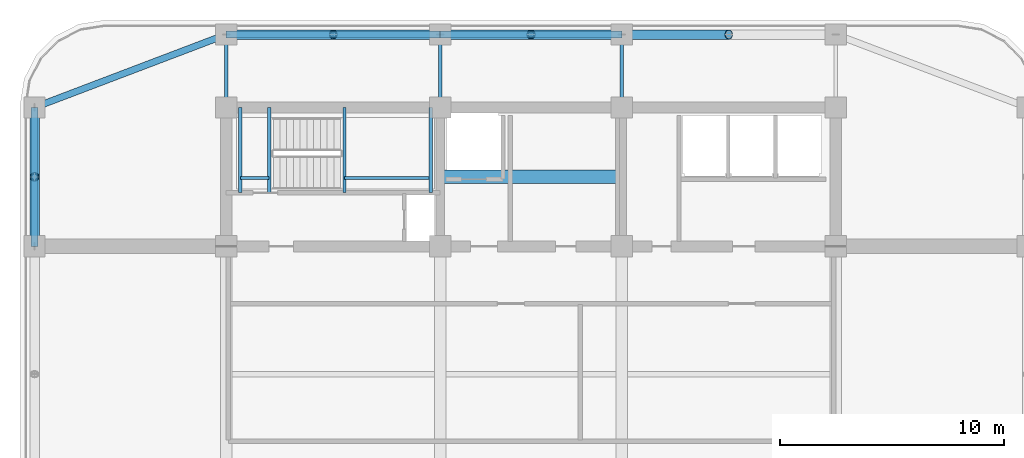
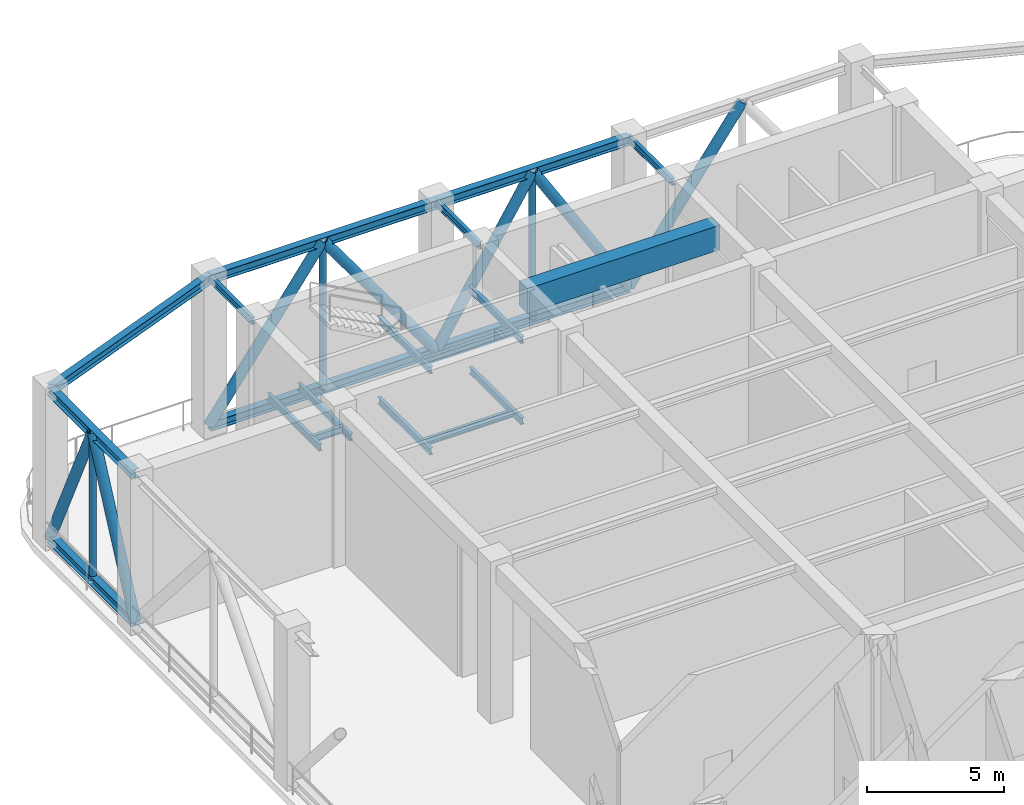
# One storey, part 7 of 20: 20 beams, 10 members.
"""IFC4 building model written with IfcOpenShell, lengths in metres."""

from ifc_helpers import new_model, si_unit, direction, frame, origin, origin_2d, place, context, subcontext, project, spatial, rectangle, hollow_circle, i_section, extrude, material, material_profile, profile_set, type_object, element, save


model = new_model("IFC4")

# Units and contexts
model_context = context("Model", 3, precision=1e-05, world=origin(), true_north=direction((0.0, 1.0)))
body_context = subcontext(model_context, "Body", "Model", "MODEL_VIEW")
ifc_project = project(units=[si_unit("LENGTHUNIT", "METRE"), si_unit("AREAUNIT", "SQUARE_METRE"), si_unit("VOLUMEUNIT", "CUBIC_METRE"), si_unit("PLANEANGLEUNIT", "RADIAN"), si_unit("MASSUNIT", "GRAM", prefix="KILO")], contexts=[model_context])

# Site, building, storey
site_placement = place(None, origin())
site = spatial("IfcSite", under=ifc_project, at=site_placement, CompositionType="ELEMENT")
building_placement = place(site_placement, origin())
building = spatial("IfcBuilding", under=site, at=building_placement, Name="Svetorya Sky Lyceum", CompositionType="ELEMENT")
storey_placement = place(building_placement, frame((0.0, 0.0, 195.89990234375)))
storey = spatial("IfcBuildingStorey", under=building, at=storey_placement, Name="L49", CompositionType="ELEMENT", Elevation=195.89990234375)

# Beams
ifc_material_1 = material(Name="Concrete C60/75", Category="concrete")
ifc_material_profile_1 = material_profile(ifc_material_1, rectangle(XDim=0.60009765625, YDim=1.10009765625, at=origin_2d()), Name="RC COUPLING 600x1100")
ifc_profile_set_1 = profile_set([ifc_material_profile_1], Name="Concrete C60/75")
beam_type_1 = type_object("IfcBeamType", Name="BM-CPL-1100", PredefinedType="LINTEL", material=ifc_profile_set_1)
beam_1_placement = place(storey_placement, frame((35.14990234375, 42.699951171875, 6.39013671875), z_axis=(1.0, 0.0, 0.0), x_axis=(0.0, 1.0, 0.0)))
element("IfcBeam", 1, at=beam_1_placement, inside=storey, type_object=beam_type_1, Name="L49 NC Core Coupling Beam", PredefinedType="LINTEL", context=body_context, shape_type="SweptSolid", body=[
    extrude(rectangle(XDim=0.60009765625, YDim=1.10009765625, at=origin_2d()), origin(), (0.0, 0.0, 1.0), 8.10009765625),
])
ifc_material_2 = material(Name="Steel S355", Category="steel")
ifc_material_profile_2 = material_profile(ifc_material_2, i_section(OverallWidth=0.14990234375, OverallDepth=0.299072265625, WebThickness=0.006591796875, FlangeThickness=0.010498046875, at=origin_2d()), Name="GOST 30B2")
ifc_profile_set_2 = profile_set([ifc_material_profile_2], Name="Steel S355")
beam_type_2 = type_object("IfcBeamType", Name="BM-STL-30B2", PredefinedType="JOIST", material=ifc_profile_set_2)
for number, where, z_axis, x_axis, name in (
    (2, (25.60009765625, 45.800048828125, 6.79052734375), (0.0, 1.0, 0.0), (-1.0, 0.0, 0.0), "L49 North Bay Floor Girder N1"),
    (3, (35.14990234375, 45.800048828125, 6.79052734375), (0.0, 1.0, 0.0), (-1.0, 0.0, 0.0), "L49 North Bay Floor Girder N2"),
    (4, (43.25, 45.800048828125, 6.79052734375), (0.0, 1.0, 0.0), (-1.0, 0.0, 0.0), "L49 North Bay Floor Girder N3"),
):
    element("IfcBeam", number, at=place(storey_placement, frame(where, z_axis=z_axis, x_axis=x_axis)), inside=storey, type_object=beam_type_2, Name=name, PredefinedType="JOIST", context=body_context, shape_type="SweptSolid", body=[
        extrude(i_section(OverallWidth=0.14990234375, OverallDepth=0.299072265625, WebThickness=0.006591796875, FlangeThickness=0.010498046875, at=origin_2d()), origin(), (0.0, 0.0, 1.0), 3.25),
    ])
for number, where, z_axis, x_axis, name in (
    (5, (30.8798828125, 42.0, 1.45068359375), (0.0, 1.0, 0.0), (-1.0, 0.0, 0.0), "L49 Stair ST-N Half-Landing Support Beam 55.1"),
    (6, (34.719970703125, 42.0, 1.45068359375), (0.0, 1.0, 0.0), (-1.0, 0.0, 0.0), "L49 Stair ST-N Half-Landing Support Beam 55.2"),
):
    element("IfcBeam", number, at=place(storey_placement, frame(where, z_axis=z_axis, x_axis=x_axis)), inside=storey, type_object=beam_type_2, Name=name, PredefinedType="JOIST", context=body_context, shape_type="SweptSolid", body=[
        extrude(i_section(OverallWidth=0.14990234375, OverallDepth=0.299072265625, WebThickness=0.006591796875, FlangeThickness=0.010498046875, at=origin_2d()), origin(), (0.0, 0.0, 1.0), 3.800048828125),
    ])
beam_2_placement = place(storey_placement, frame((30.8798828125, 42.64990234375, 1.45068359375), z_axis=(1.0, 0.0, 0.0), x_axis=(0.0, 1.0, 0.0)))
element("IfcBeam", 7, at=beam_2_placement, inside=storey, type_object=beam_type_2, Name="L49 Stair ST-N Half-Landing Cross Tie 55", PredefinedType="JOIST", context=body_context, shape_type="SweptSolid", body=[
    extrude(i_section(OverallWidth=0.14990234375, OverallDepth=0.299072265625, WebThickness=0.006591796875, FlangeThickness=0.010498046875, at=origin_2d()), origin(), (0.0, 0.0, 1.0), 3.840087890625),
])
for number, where, z_axis, x_axis, name in (
    (8, (26.22998046875, 42.0, 3.25048828125), (0.0, 1.0, 0.0), (-1.0, 0.0, 0.0), "L49 Stair ST-N Half-Landing Support Beam 56.1"),
    (9, (27.52001953125, 42.0, 3.25048828125), (0.0, 1.0, 0.0), (-1.0, 0.0, 0.0), "L49 Stair ST-N Half-Landing Support Beam 56.2"),
):
    element("IfcBeam", number, at=place(storey_placement, frame(where, z_axis=z_axis, x_axis=x_axis)), inside=storey, type_object=beam_type_2, Name=name, PredefinedType="JOIST", context=body_context, shape_type="SweptSolid", body=[
        extrude(i_section(OverallWidth=0.14990234375, OverallDepth=0.299072265625, WebThickness=0.006591796875, FlangeThickness=0.010498046875, at=origin_2d()), origin(), (0.0, 0.0, 1.0), 3.800048828125),
    ])
beam_3_placement = place(storey_placement, frame((26.22998046875, 42.64990234375, 3.25048828125), z_axis=(1.0, 0.0, 0.0), x_axis=(0.0, 1.0, 0.0)))
element("IfcBeam", 10, at=beam_3_placement, inside=storey, type_object=beam_type_2, Name="L49 Stair ST-N Half-Landing Cross Tie 56", PredefinedType="JOIST", context=body_context, shape_type="SweptSolid", body=[
    extrude(i_section(OverallWidth=0.14990234375, OverallDepth=0.299072265625, WebThickness=0.006591796875, FlangeThickness=0.010498046875, at=origin_2d()), origin(), (0.0, 0.0, 1.0), 1.2900390625),
])
for number, where, z_axis, x_axis, name in (
    (11, (30.8798828125, 42.0, 5.050537109375), (0.0, 1.0, 0.0), (-1.0, 0.0, 0.0), "L49 Stair ST-N Half-Landing Support Beam 57.1"),
    (12, (34.719970703125, 42.0, 5.050537109375), (0.0, 1.0, 0.0), (-1.0, 0.0, 0.0), "L49 Stair ST-N Half-Landing Support Beam 57.2"),
):
    element("IfcBeam", number, at=place(storey_placement, frame(where, z_axis=z_axis, x_axis=x_axis)), inside=storey, type_object=beam_type_2, Name=name, PredefinedType="JOIST", context=body_context, shape_type="SweptSolid", body=[
        extrude(i_section(OverallWidth=0.14990234375, OverallDepth=0.299072265625, WebThickness=0.006591796875, FlangeThickness=0.010498046875, at=origin_2d()), origin(), (0.0, 0.0, 1.0), 3.800048828125),
    ])
beam_4_placement = place(storey_placement, frame((30.8798828125, 42.64990234375, 5.050537109375), z_axis=(1.0, 0.0, 0.0), x_axis=(0.0, 1.0, 0.0)))
element("IfcBeam", 13, at=beam_4_placement, inside=storey, type_object=beam_type_2, Name="L49 Stair ST-N Half-Landing Cross Tie 57", PredefinedType="JOIST", context=body_context, shape_type="SweptSolid", body=[
    extrude(i_section(OverallWidth=0.14990234375, OverallDepth=0.299072265625, WebThickness=0.006591796875, FlangeThickness=0.010498046875, at=origin_2d()), origin(), (0.0, 0.0, 1.0), 3.840087890625),
])
ifc_material_profile_3 = material_profile(ifc_material_2, i_section(OverallWidth=0.300048828125, OverallDepth=0.39404296875, WebThickness=0.010986328125, FlangeThickness=0.0166015625, at=origin_2d()), Name="GOST 40Sh2")
ifc_profile_set_3 = profile_set([ifc_material_profile_3], Name="Steel S355")
beam_type_3 = type_object("IfcBeamType", Name="BM-STL-40SH2", PredefinedType="BEAM", material=ifc_profile_set_3)
for number, where, z_axis, x_axis, name in (
    (14, (25.60009765625, 49.050048828125, 0.197021484375), (1.0, 0.0, 0.0), (0.0, 1.0, 0.0), "L49 Belt Truss Bottom Chord N-1"),
    (15, (25.60009765625, 49.050048828125, 6.7431640625), (1.0, 0.0, 0.0), (0.0, 1.0, 0.0), "L49 Belt Truss Top Chord N-1"),
):
    element("IfcBeam", number, at=place(storey_placement, frame(where, z_axis=z_axis, x_axis=x_axis)), inside=storey, type_object=beam_type_3, Name=name, PredefinedType="BEAM", context=body_context, shape_type="SweptSolid", body=[
        extrude(i_section(OverallWidth=0.300048828125, OverallDepth=0.39404296875, WebThickness=0.010986328125, FlangeThickness=0.0166015625, at=origin_2d()), origin(), (0.0, 0.0, 1.0), 9.5498046875),
    ])
for number, where, z_axis, x_axis, name in (
    (16, (35.14990234375, 49.050048828125, 0.197021484375), (1.0, 0.0, 0.0), (0.0, 1.0, 0.0), "L49 Belt Truss Bottom Chord N-2"),
    (17, (35.14990234375, 49.050048828125, 6.7431640625), (1.0, 0.0, 0.0), (0.0, 1.0, 0.0), "L49 Belt Truss Top Chord N-2"),
):
    element("IfcBeam", number, at=place(storey_placement, frame(where, z_axis=z_axis, x_axis=x_axis)), inside=storey, type_object=beam_type_3, Name=name, PredefinedType="BEAM", context=body_context, shape_type="SweptSolid", body=[
        extrude(i_section(OverallWidth=0.300048828125, OverallDepth=0.39404296875, WebThickness=0.010986328125, FlangeThickness=0.0166015625, at=origin_2d()), origin(), (0.0, 0.0, 1.0), 8.10009765625),
    ])
for number, where, z_axis, x_axis, name in (
    (18, (17.050048828125, 39.60009765625, 0.197021484375), (0.0, 1.0, 0.0), (-1.0, 0.0, 0.0), "L49 Belt Truss Bottom Chord W-4"),
    (19, (17.050048828125, 39.60009765625, 6.7431640625), (0.0, 1.0, 0.0), (-1.0, 0.0, 0.0), "L49 Belt Truss Top Chord W-4"),
):
    element("IfcBeam", number, at=place(storey_placement, frame(where, z_axis=z_axis, x_axis=x_axis)), inside=storey, type_object=beam_type_3, Name=name, PredefinedType="BEAM", context=body_context, shape_type="SweptSolid", body=[
        extrude(i_section(OverallWidth=0.300048828125, OverallDepth=0.39404296875, WebThickness=0.010986328125, FlangeThickness=0.0166015625, at=origin_2d()), origin(), (0.0, 0.0, 1.0), 6.199951171875),
    ])
beam_5_placement = place(storey_placement, frame((17.050048828125, 45.800048828125, 6.7431640625), z_axis=(0.934747947367, 0.355311518099, 0.0), x_axis=(-0.355311518099, 0.934747947367, 0.0)))
element("IfcBeam", 20, at=beam_5_placement, inside=storey, type_object=beam_type_3, Name="L49 Belt Truss Corner Tie 4", PredefinedType="BEAM", context=body_context, shape_type="SweptSolid", body=[
    extrude(i_section(OverallWidth=0.300048828125, OverallDepth=0.39404296875, WebThickness=0.010986328125, FlangeThickness=0.0166015625, at=origin_2d()), origin(), (0.0, 0.0, 1.0), 9.14697265625),
])

# Members
ifc_material_profile_4 = material_profile(ifc_material_2, hollow_circle(Radius=0.212890625, WallThickness=0.01806640625, at=origin_2d()), Name="CHS 426x18")
ifc_profile_set_4 = profile_set([ifc_material_profile_4], Name="Steel S355")
member_type_1 = type_object("IfcMemberType", Name="MB-BRC-CHS426", PredefinedType="BRACE", material=ifc_profile_set_4)
for number, where, z_axis, x_axis, name in (
    (21, (25.60009765625, 49.050048828125, 0.197021484375), (0.589306984241, 0.0, 0.807909201782), (0.0, 1.0, 0.0), "L49 Belt Truss Diagonal N-1A"),
    (22, (35.14990234375, 49.050048828125, 0.197021484375), (-0.589306984241, 0.0, 0.807909201782), (0.0, -1.0, 0.0), "L49 Belt Truss Diagonal N-1B"),
):
    element("IfcMember", number, at=place(storey_placement, frame(where, z_axis=z_axis, x_axis=x_axis)), inside=storey, type_object=member_type_1, Name=name, PredefinedType="BRACE", context=body_context, shape_type="SweptSolid", body=[
        extrude(hollow_circle(Radius=0.212890625, WallThickness=0.01806640625, at=origin_2d()), origin(), (0.0, 0.0, 1.0), 8.1025390625),
    ])
for number, where, z_axis, x_axis, name in (
    (23, (35.14990234375, 49.050048828125, 0.197021484375), (0.526136225005, 0.0, 0.850400301468), (0.0, 1.0, 0.0), "L49 Belt Truss Diagonal N-2A"),
    (24, (43.25, 49.050048828125, 0.197021484375), (-0.526136225005, 0.0, 0.850400301468), (0.0, -1.0, 0.0), "L49 Belt Truss Diagonal N-2B"),
):
    element("IfcMember", number, at=place(storey_placement, frame(where, z_axis=z_axis, x_axis=x_axis)), inside=storey, type_object=member_type_1, Name=name, PredefinedType="BRACE", context=body_context, shape_type="SweptSolid", body=[
        extrude(hollow_circle(Radius=0.212890625, WallThickness=0.01806640625, at=origin_2d()), origin(), (0.0, 0.0, 1.0), 7.69775390625),
    ])
member_1_placement = place(storey_placement, frame((43.25, 49.050048828125, 0.197021484375), z_axis=(0.589306984241, 0.0, 0.807909201782), x_axis=(0.0, 1.0, 0.0)))
element("IfcMember", 25, at=member_1_placement, inside=storey, type_object=member_type_1, Name="L49 Belt Truss Diagonal N-3A", PredefinedType="BRACE", context=body_context, shape_type="SweptSolid", body=[
    extrude(hollow_circle(Radius=0.212890625, WallThickness=0.01806640625, at=origin_2d()), origin(), (0.0, 0.0, 1.0), 8.1025390625),
])
member_2_placement = place(storey_placement, frame((17.050048828125, 39.60009765625, 0.197021484375), z_axis=(0.0, 0.427979119576, 0.903788621973), x_axis=(-1.0, 0.0, 0.0)))
element("IfcMember", 26, at=member_2_placement, inside=storey, type_object=member_type_1, Name="L49 Belt Truss Diagonal W-4A", PredefinedType="BRACE", context=body_context, shape_type="SweptSolid", body=[
    extrude(hollow_circle(Radius=0.212890625, WallThickness=0.01806640625, at=origin_2d()), origin(), (0.0, 0.0, 1.0), 7.242919921875),
])
member_3_placement = place(storey_placement, frame((17.050048828125, 45.800048828125, 0.197021484375), z_axis=(0.0, -0.428006652086, 0.903775583743), x_axis=(1.0, 0.0, 0.0)))
element("IfcMember", 27, at=member_3_placement, inside=storey, type_object=member_type_1, Name="L49 Belt Truss Diagonal W-4B", PredefinedType="BRACE", context=body_context, shape_type="SweptSolid", body=[
    extrude(hollow_circle(Radius=0.212890625, WallThickness=0.01806640625, at=origin_2d()), origin(), (0.0, 0.0, 1.0), 7.2431640625),
])
ifc_material_profile_5 = material_profile(ifc_material_2, hollow_circle(Radius=0.136474609375, WallThickness=0.011962890625, at=origin_2d()), Name="CHS 273x12")
ifc_profile_set_5 = profile_set([ifc_material_profile_5], Name="Steel S355")
member_type_2 = type_object("IfcMemberType", Name="MB-STR-CHS273", PredefinedType="STRUT", material=ifc_profile_set_5)
for number, where, z_axis, x_axis, name in (
    (28, (30.375, 49.050048828125, 0.197021484375), (0.0, 0.0, 1.0), (1.0, 0.0, 0.0), "L49 Belt Truss Post N-1"),
    (29, (39.199951171875, 49.050048828125, 0.197021484375), (0.0, 0.0, 1.0), (1.0, 0.0, 0.0), "L49 Belt Truss Post N-2"),
    (30, (17.050048828125, 42.699951171875, 0.197021484375), (0.0, 0.0, 1.0), (1.0, 0.0, 0.0), "L49 Belt Truss Post W-4"),
):
    element("IfcMember", number, at=place(storey_placement, frame(where, z_axis=z_axis, x_axis=x_axis)), inside=storey, type_object=member_type_2, Name=name, PredefinedType="STRUT", context=body_context, shape_type="SweptSolid", body=[
        extrude(hollow_circle(Radius=0.136474609375, WallThickness=0.011962890625, at=origin_2d()), origin(), (0.0, 0.0, 1.0), 6.546142578125),
    ])

save(model, "model.ifc")
